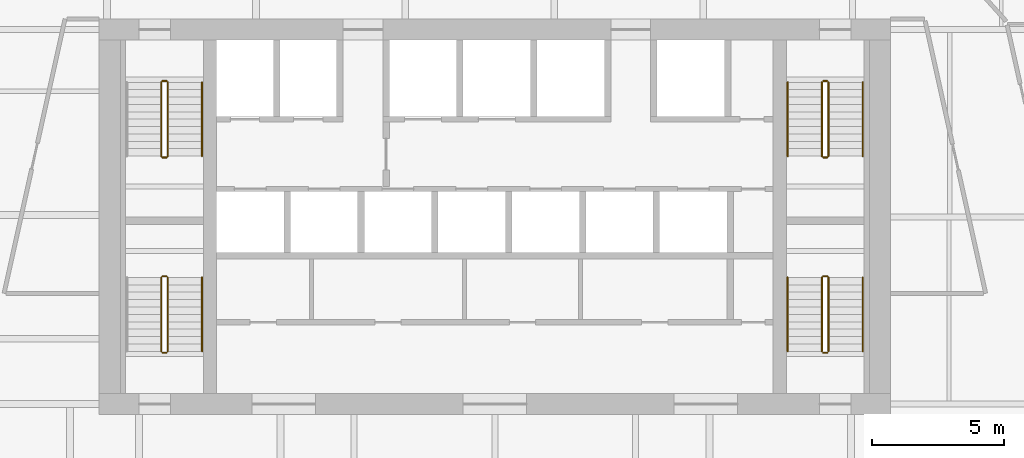
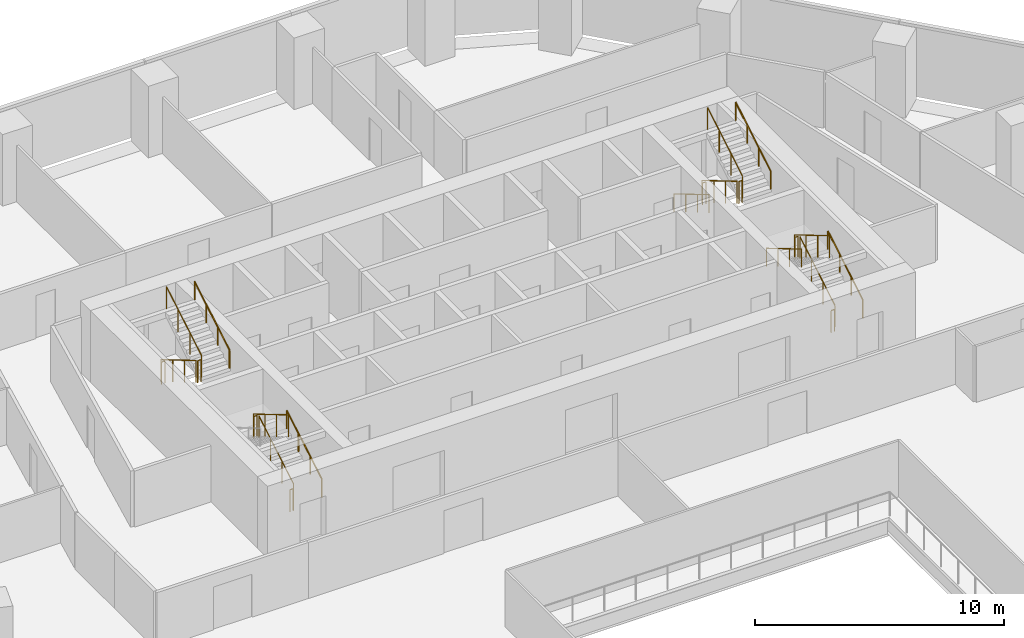
# One storey, part 15 of 16: 22 railings.
"""IFC4 building model written with IfcOpenShell, lengths in metres."""

import ifcopenshell
import ifcopenshell.guid

model = None  # the IFC model being written
_history = None  # IfcOwnerHistory: only IFC2X3 demands one
_inside = {}  # id of a spatial element -> (the spatial element, [elements in it])
_under = {}  # id of a project, library or spatial element -> (it, [spatial elements below it])
_declared = {}  # id of a project -> (the project, [libraries it declares])
_typed = {}  # id of a type object -> (the type object, [elements of that type])
_made_of = {}  # id of a material, layer set ... -> (it, [elements and type objects made of it])


def new_model(schema):
    """Start an empty IFC model of exactly this schema.

    Asked for "IFC4X3", IfcOpenShell would pick the latest addendum, in which some entities
    have other attributes; the version numbers below select the first issue.
    IFC2X3 requires an IfcOwnerHistory on every rooted entity: one is made here for all.
    """
    global model, _history
    if schema == "IFC4X3":
        model = ifcopenshell.file(schema_version=(4, 3, 0, 0))
    else:
        model = ifcopenshell.file(schema=schema)
    _inside.clear()
    _under.clear()
    _declared.clear()
    _typed.clear()
    _made_of.clear()
    _history = None
    if model.schema == "IFC2X3":
        org = make("IfcOrganization", Name="unknown")
        user = make(
            "IfcPersonAndOrganization",
            ThePerson=make("IfcPerson", FamilyName="unknown"),
            TheOrganization=org,
        )
        app = make(
            "IfcApplication",
            ApplicationDeveloper=org,
            Version="unknown",
            ApplicationFullName="unknown",
            ApplicationIdentifier="unknown",
        )
        _history = make(
            "IfcOwnerHistory",
            OwningUser=user,
            OwningApplication=app,
            ChangeAction="ADDED",
            CreationDate=0,
        )
    return model


def make(cls, **values):
    """One entity of the class cls with the attributes given. An attribute that is None is left unset."""
    return model.create_entity(
        cls, **{name: value for name, value in values.items() if value is not None}
    )


def rooted(cls, **values):
    """An entity with a GlobalId (a new one), such as an element, a storey or a relation."""
    return make(cls, GlobalId=ifcopenshell.guid.new(), OwnerHistory=_history, **values)


def si_unit(unit_type, name, prefix=None):
    """IfcSIUnit, for example si_unit("LENGTHUNIT", "METRE", prefix="MILLI")."""
    return make("IfcSIUnit", UnitType=unit_type, Prefix=prefix, Name=name)


def assignment(units):
    """IfcUnitAssignment: the units of a project."""
    return None if units is None else make("IfcUnitAssignment", Units=units)


def point(xyz):
    """IfcCartesianPoint."""
    return None if xyz is None else make("IfcCartesianPoint", Coordinates=xyz)


def direction(xyz):
    """IfcDirection."""
    return None if xyz is None else make("IfcDirection", DirectionRatios=xyz)


def frame(location, z_axis=None, x_axis=None):
    """IfcAxis2Placement3D, a coordinate frame: its origin and axes. An axis left out is left unset."""
    return make(
        "IfcAxis2Placement3D",
        Location=point(location),
        Axis=direction(z_axis),
        RefDirection=direction(x_axis),
    )


def frame_2d(location, x_axis=None):
    """IfcAxis2Placement2D, a coordinate frame in the plane: its origin and x axis."""
    return make(
        "IfcAxis2Placement2D", Location=point(location), RefDirection=direction(x_axis)
    )


def origin():
    """The frame at (0, 0, 0) with its axes left unset."""
    return frame((0.0, 0.0, 0.0))


def origin_2d():
    """The frame at (0, 0) in the plane with its x axis left unset."""
    return frame_2d((0.0, 0.0))


def place(relative_to, where):
    """IfcLocalPlacement: puts the frame where relative to a parent placement (None: the world)."""
    return make(
        "IfcLocalPlacement", PlacementRelTo=relative_to, RelativePlacement=where
    )


def context(
    kind, dimensions, precision=None, world=None, true_north=None, identifier=None
):
    """IfcGeometricRepresentationContext, for example the 3D "Model" context."""
    return make(
        "IfcGeometricRepresentationContext",
        ContextIdentifier=identifier,
        ContextType=kind,
        CoordinateSpaceDimension=dimensions,
        Precision=precision,
        WorldCoordinateSystem=world,
        TrueNorth=true_north,
    )


def subcontext(parent, identifier, kind, view, scale=None):
    """IfcGeometricRepresentationSubContext, for example "Body" below "Model"."""
    return make(
        "IfcGeometricRepresentationSubContext",
        ContextIdentifier=identifier,
        ContextType=kind,
        ParentContext=parent,
        TargetScale=scale,
        TargetView=view,
    )


def project(units=None, contexts=None):
    """IfcProject with its units and contexts."""
    return rooted(
        "IfcProject",
        Name="project",
        RepresentationContexts=contexts,
        UnitsInContext=assignment(units),
    )


def spatial(cls, under=None, at=None, **own):
    """A site, building, storey or space (cls), placed at a placement, below another one or the project."""
    s = rooted(cls, ObjectPlacement=at, **own)
    if under is not None:
        _under.setdefault(under.id(), (under, []))[1].append(s)
    return s


def profile(cls, at=None, kind="AREA", **sizes):
    """A parametric profile (cls). Its sizes go by their IFC names, for example OverallWidth=200.0."""
    return make(cls, ProfileType=kind, Position=at, **sizes)


def circle(**sizes):
    """IfcCircleProfileDef."""
    return profile("IfcCircleProfileDef", **sizes)


def extrude(swept, where, along, depth):
    """IfcExtrudedAreaSolid: the profile swept, set in the frame where, extruded along a direction by depth."""
    return make(
        "IfcExtrudedAreaSolid",
        SweptArea=swept,
        Position=where,
        ExtrudedDirection=direction(along),
        Depth=depth,
    )


def shape(context_of_items, identifier, shape_type, items):
    """IfcShapeRepresentation: the items that make up one representation, for example the "Body"."""
    return make(
        "IfcShapeRepresentation",
        ContextOfItems=context_of_items,
        RepresentationIdentifier=identifier,
        RepresentationType=shape_type,
        Items=items,
    )


def material(Name=None, Category=None):
    """IfcMaterial."""
    return make("IfcMaterial", Name=Name, Category=Category)


def made_of(thing, what):
    """Note that an element or type object is made of a material, layer set ...; save() writes the relation."""
    if what is not None:
        _made_of.setdefault(what.id(), (what, []))[1].append(thing)
    return thing


def type_object(cls, material=None, **own):
    """A type object (cls), such as IfcWallType, which elements share."""
    return made_of(rooted(cls, **own), material)


def element(
    cls,
    number,
    at=None,
    inside=None,
    cuts=None,
    type_object=None,
    material=None,
    context=None,
    identifier="Body",
    shape_type=None,
    held_by="IfcProductDefinitionShape",
    body=None,
    shapes=None,
    **own,
):
    """One element of the class cls, such as IfcWall. Its Tag is "e" and its number.

    at: its placement. inside: the storey or other place that contains it. cuts: it is an
    opening in that element (IfcRelVoidsElement). A single representation is given by context,
    identifier, shape_type and body (its items); several are given by shapes. held_by: the class
    of the entity that holds the representations. save() writes the other relations.
    """
    e = rooted(cls, Tag="e%d" % number, ObjectPlacement=at, **own)
    if body is not None:
        shapes = [shape(context, identifier, shape_type, body)]
    if shapes is not None:
        e.Representation = make(held_by, Representations=shapes)
    if inside is not None:
        _inside.setdefault(inside.id(), (inside, []))[1].append(e)
    if cuts is not None:
        rooted(
            "IfcRelVoidsElement", RelatingBuildingElement=cuts, RelatedOpeningElement=e
        )
    if type_object is not None:
        _typed.setdefault(type_object.id(), (type_object, []))[1].append(e)
    return made_of(e, material)


def aggregate(whole, parts):
    """IfcRelAggregates: a whole, such as a stair, and the parts it consists of."""
    return rooted("IfcRelAggregates", RelatingObject=whole, RelatedObjects=parts)


def save(model, path):
    """Write the relations noted so far, then the file.

    IfcRelAggregates (storeys below a building ...), IfcRelContainedInSpatialStructure (elements
    in a storey), IfcRelDefinesByType, IfcRelAssociatesMaterial and IfcRelDeclares: one each for
    every whole, place, type object, material and project.
    """
    for whole, parts in _under.values():
        aggregate(whole, parts)
    for where, things in _inside.values():
        rooted(
            "IfcRelContainedInSpatialStructure",
            RelatedElements=things,
            RelatingStructure=where,
        )
    for kind, things in _typed.values():
        rooted("IfcRelDefinesByType", RelatedObjects=things, RelatingType=kind)
    for what, things in _made_of.values():
        rooted("IfcRelAssociatesMaterial", RelatedObjects=things, RelatingMaterial=what)
    for by, libraries in _declared.values():
        rooted("IfcRelDeclares", RelatingContext=by, RelatedDefinitions=libraries)
    model.write(path)


model = new_model("IFC4")

# Units and contexts
model_context = context("Model", 3, precision=1e-05, world=origin(), true_north=direction((0.0, 1.0)))
body_context = subcontext(model_context, "Body", "Model", "MODEL_VIEW")
ifc_project = project(units=[si_unit("LENGTHUNIT", "METRE"), si_unit("AREAUNIT", "SQUARE_METRE"), si_unit("VOLUMEUNIT", "CUBIC_METRE"), si_unit("PLANEANGLEUNIT", "RADIAN"), si_unit("MASSUNIT", "GRAM", prefix="KILO")], contexts=[model_context])

# Site, building, storey
site_placement = place(None, origin())
site = spatial("IfcSite", under=ifc_project, at=site_placement, CompositionType="ELEMENT")
building_placement = place(site_placement, origin())
building = spatial("IfcBuilding", under=site, at=building_placement, Name="Isthmus Gate Tower", CompositionType="ELEMENT")
storey_placement = place(building_placement, frame((0.0, 0.0, 140.75)))
storey = spatial("IfcBuildingStorey", under=building, at=storey_placement, Name="L34", CompositionType="ELEMENT", Elevation=140.75)

# Railings
ifc_material_1 = material(Name="Stainless steel balustrade", Category="steel")
railing_type_1 = type_object("IfcRailingType", Name="STAIR GUARD 1100", PredefinedType="GUARDRAIL", material=ifc_material_1)
railing_1_placement = place(storey_placement, frame((-12.64990234375, 12.60009765625, 0.166015625)))
element("IfcRailing", 1, at=railing_1_placement, inside=storey, type_object=railing_type_1, Name="L34 ST1 stair guard 1", PredefinedType="GUARDRAIL", context=body_context, shape_type="SweptSolid", body=[
    extrude(circle(Radius=0.02392578125, at=origin_2d()), frame((0.0, 0.0, 1.076171875), z_axis=(0.0, -0.860339051648, 0.50972219513), x_axis=(1.0, 0.0, 0.0)), (0.0, 0.0, 1.0), 3.254638671875),
    extrude(circle(Radius=0.02099609375, at=origin_2d()), origin(), (0.0, 0.0, 1.0), 1.052001953125),
    extrude(circle(Radius=0.02099609375, at=origin_2d()), frame((0.0, -0.933349609375, 0.552978515625)), (0.0, 0.0, 1.0), 1.052001953125),
    extrude(circle(Radius=0.02099609375, at=origin_2d()), frame((0.0, -1.86669921875, 1.10595703125)), (0.0, 0.0, 1.0), 1.052001953125),
    extrude(circle(Radius=0.02099609375, at=origin_2d()), frame((0.0, -2.800048828125, 1.658935546875)), (0.0, 0.0, 1.0), 1.052001953125),
])
railing_2_placement = place(storey_placement, frame((-12.60009765625, 9.75, 1.824951171875)))
element("IfcRailing", 2, at=railing_2_placement, inside=storey, type_object=railing_type_1, Name="L34 ST1 stair guard 2", PredefinedType="GUARDRAIL", context=body_context, shape_type="SweptSolid", body=[
    extrude(circle(Radius=0.02392578125, at=origin_2d()), frame((0.0, 0.0, 1.076171875), z_axis=(1.0, 0.0, 0.0), x_axis=(0.0, 1.0, 0.0)), (0.0, 0.0, 1.0), 0.150146484375),
    extrude(circle(Radius=0.02099609375, at=origin_2d()), origin(), (0.0, 0.0, 1.0), 1.052001953125),
    extrude(circle(Radius=0.02099609375, at=origin_2d()), frame((0.150146484375, 0.0, 0.0)), (0.0, 0.0, 1.0), 1.052001953125),
])
railing_3_placement = place(storey_placement, frame((-12.39990234375, 9.800048828125, 1.990966796875)))
element("IfcRailing", 3, at=railing_3_placement, inside=storey, type_object=railing_type_1, Name="L34 ST1 stair guard 3", PredefinedType="GUARDRAIL", context=body_context, shape_type="SweptSolid", body=[
    extrude(circle(Radius=0.02392578125, at=origin_2d()), frame((0.0, 0.0, 1.076171875), z_axis=(0.0, 0.860339051648, 0.50972219513), x_axis=(-1.0, 0.0, 0.0)), (0.0, 0.0, 1.0), 3.254638671875),
    extrude(circle(Radius=0.02099609375, at=origin_2d()), origin(), (0.0, 0.0, 1.0), 1.052001953125),
    extrude(circle(Radius=0.02099609375, at=origin_2d()), frame((0.0, 0.933349609375, 0.552978515625)), (0.0, 0.0, 1.0), 1.052001953125),
    extrude(circle(Radius=0.02099609375, at=origin_2d()), frame((0.0, 1.86669921875, 1.10595703125)), (0.0, 0.0, 1.0), 1.052001953125),
    extrude(circle(Radius=0.02099609375, at=origin_2d()), frame((0.0, 2.800048828125, 1.658935546875)), (0.0, 0.0, 1.0), 1.052001953125),
])
railing_4_placement = place(storey_placement, frame((-12.60009765625, 12.64990234375, 0.0)))
element("IfcRailing", 4, at=railing_4_placement, inside=storey, type_object=railing_type_1, Name="L34 ST1 stair guard 4", PredefinedType="GUARDRAIL", context=body_context, shape_type="SweptSolid", body=[
    extrude(circle(Radius=0.02392578125, at=origin_2d()), frame((0.0, 0.0, 1.076171875), z_axis=(1.0, 0.0, 0.0), x_axis=(0.0, 1.0, 0.0)), (0.0, 0.0, 1.0), 0.150146484375),
    extrude(circle(Radius=0.02099609375, at=origin_2d()), origin(), (0.0, 0.0, 1.0), 1.052001953125),
    extrude(circle(Radius=0.02099609375, at=origin_2d()), frame((0.150146484375, 0.0, 0.0)), (0.0, 0.0, 1.0), 1.052001953125),
])
railing_5_placement = place(storey_placement, frame((12.39990234375, 12.60009765625, 0.166015625)))
element("IfcRailing", 5, at=railing_5_placement, inside=storey, type_object=railing_type_1, Name="L34 ST2 stair guard 1", PredefinedType="GUARDRAIL", context=body_context, shape_type="SweptSolid", body=[
    extrude(circle(Radius=0.02392578125, at=origin_2d()), frame((0.0, 0.0, 1.076171875), z_axis=(0.0, -0.860339051648, 0.50972219513), x_axis=(1.0, 0.0, 0.0)), (0.0, 0.0, 1.0), 3.254638671875),
    extrude(circle(Radius=0.02099609375, at=origin_2d()), origin(), (0.0, 0.0, 1.0), 1.052001953125),
    extrude(circle(Radius=0.02099609375, at=origin_2d()), frame((0.0, -0.933349609375, 0.552978515625)), (0.0, 0.0, 1.0), 1.052001953125),
    extrude(circle(Radius=0.02099609375, at=origin_2d()), frame((0.0, -1.86669921875, 1.10595703125)), (0.0, 0.0, 1.0), 1.052001953125),
    extrude(circle(Radius=0.02099609375, at=origin_2d()), frame((0.0, -2.800048828125, 1.658935546875)), (0.0, 0.0, 1.0), 1.052001953125),
])
railing_6_placement = place(storey_placement, frame((12.449951171875, 9.75, 1.824951171875)))
element("IfcRailing", 6, at=railing_6_placement, inside=storey, type_object=railing_type_1, Name="L34 ST2 stair guard 2", PredefinedType="GUARDRAIL", context=body_context, shape_type="SweptSolid", body=[
    extrude(circle(Radius=0.02392578125, at=origin_2d()), frame((0.0, 0.0, 1.076171875), z_axis=(1.0, 0.0, 0.0), x_axis=(0.0, 1.0, 0.0)), (0.0, 0.0, 1.0), 0.150146484375),
    extrude(circle(Radius=0.02099609375, at=origin_2d()), origin(), (0.0, 0.0, 1.0), 1.052001953125),
    extrude(circle(Radius=0.02099609375, at=origin_2d()), frame((0.150146484375, 0.0, 0.0)), (0.0, 0.0, 1.0), 1.052001953125),
])
railing_7_placement = place(storey_placement, frame((12.64990234375, 9.800048828125, 1.990966796875)))
element("IfcRailing", 7, at=railing_7_placement, inside=storey, type_object=railing_type_1, Name="L34 ST2 stair guard 3", PredefinedType="GUARDRAIL", context=body_context, shape_type="SweptSolid", body=[
    extrude(circle(Radius=0.02392578125, at=origin_2d()), frame((0.0, 0.0, 1.076171875), z_axis=(0.0, 0.860339051648, 0.50972219513), x_axis=(-1.0, 0.0, 0.0)), (0.0, 0.0, 1.0), 3.254638671875),
    extrude(circle(Radius=0.02099609375, at=origin_2d()), origin(), (0.0, 0.0, 1.0), 1.052001953125),
    extrude(circle(Radius=0.02099609375, at=origin_2d()), frame((0.0, 0.933349609375, 0.552978515625)), (0.0, 0.0, 1.0), 1.052001953125),
    extrude(circle(Radius=0.02099609375, at=origin_2d()), frame((0.0, 1.86669921875, 1.10595703125)), (0.0, 0.0, 1.0), 1.052001953125),
    extrude(circle(Radius=0.02099609375, at=origin_2d()), frame((0.0, 2.800048828125, 1.658935546875)), (0.0, 0.0, 1.0), 1.052001953125),
])
railing_8_placement = place(storey_placement, frame((12.449951171875, 12.64990234375, 0.0)))
element("IfcRailing", 8, at=railing_8_placement, inside=storey, type_object=railing_type_1, Name="L34 ST2 stair guard 4", PredefinedType="GUARDRAIL", context=body_context, shape_type="SweptSolid", body=[
    extrude(circle(Radius=0.02392578125, at=origin_2d()), frame((0.0, 0.0, 1.076171875), z_axis=(1.0, 0.0, 0.0), x_axis=(0.0, 1.0, 0.0)), (0.0, 0.0, 1.0), 0.150146484375),
    extrude(circle(Radius=0.02099609375, at=origin_2d()), origin(), (0.0, 0.0, 1.0), 1.052001953125),
    extrude(circle(Radius=0.02099609375, at=origin_2d()), frame((0.150146484375, 0.0, 0.0)), (0.0, 0.0, 1.0), 1.052001953125),
])
railing_9_placement = place(storey_placement, frame((-12.39990234375, 2.39990234375, 0.166015625)))
element("IfcRailing", 9, at=railing_9_placement, inside=storey, type_object=railing_type_1, Name="L34 ST7 stair guard 1", PredefinedType="GUARDRAIL", context=body_context, shape_type="SweptSolid", body=[
    extrude(circle(Radius=0.02392578125, at=origin_2d()), frame((0.0, 0.0, 1.076171875), z_axis=(0.0, 0.860339051648, 0.50972219513), x_axis=(-1.0, 0.0, 0.0)), (0.0, 0.0, 1.0), 3.254638671875),
    extrude(circle(Radius=0.02099609375, at=origin_2d()), origin(), (0.0, 0.0, 1.0), 1.052001953125),
    extrude(circle(Radius=0.02099609375, at=origin_2d()), frame((0.0, 0.933349609375, 0.552978515625)), (0.0, 0.0, 1.0), 1.052001953125),
    extrude(circle(Radius=0.02099609375, at=origin_2d()), frame((0.0, 1.86669921875, 1.10595703125)), (0.0, 0.0, 1.0), 1.052001953125),
    extrude(circle(Radius=0.02099609375, at=origin_2d()), frame((0.0, 2.800048828125, 1.658935546875)), (0.0, 0.0, 1.0), 1.052001953125),
])
railing_10_placement = place(storey_placement, frame((-12.449951171875, 5.25, 1.824951171875)))
element("IfcRailing", 10, at=railing_10_placement, inside=storey, type_object=railing_type_1, Name="L34 ST7 stair guard 2", PredefinedType="GUARDRAIL", context=body_context, shape_type="SweptSolid", body=[
    extrude(circle(Radius=0.02392578125, at=origin_2d()), frame((0.0, 0.0, 1.076171875), z_axis=(-1.0, 0.0, 0.0), x_axis=(0.0, -1.0, 0.0)), (0.0, 0.0, 1.0), 0.150146484375),
    extrude(circle(Radius=0.02099609375, at=origin_2d()), origin(), (0.0, 0.0, 1.0), 1.052001953125),
    extrude(circle(Radius=0.02099609375, at=origin_2d()), frame((-0.150146484375, 0.0, 0.0)), (0.0, 0.0, 1.0), 1.052001953125),
])
railing_11_placement = place(storey_placement, frame((-12.64990234375, 5.199951171875, 1.990966796875)))
element("IfcRailing", 11, at=railing_11_placement, inside=storey, type_object=railing_type_1, Name="L34 ST7 stair guard 3", PredefinedType="GUARDRAIL", context=body_context, shape_type="SweptSolid", body=[
    extrude(circle(Radius=0.02392578125, at=origin_2d()), frame((0.0, 0.0, 1.076171875), z_axis=(0.0, -0.860339051648, 0.50972219513), x_axis=(1.0, 0.0, 0.0)), (0.0, 0.0, 1.0), 3.254638671875),
    extrude(circle(Radius=0.02099609375, at=origin_2d()), origin(), (0.0, 0.0, 1.0), 1.052001953125),
    extrude(circle(Radius=0.02099609375, at=origin_2d()), frame((0.0, -0.933349609375, 0.552978515625)), (0.0, 0.0, 1.0), 1.052001953125),
    extrude(circle(Radius=0.02099609375, at=origin_2d()), frame((0.0, -1.86669921875, 1.10595703125)), (0.0, 0.0, 1.0), 1.052001953125),
    extrude(circle(Radius=0.02099609375, at=origin_2d()), frame((0.0, -2.800048828125, 1.658935546875)), (0.0, 0.0, 1.0), 1.052001953125),
])
railing_12_placement = place(storey_placement, frame((-12.449951171875, 2.35009765625, 0.0)))
element("IfcRailing", 12, at=railing_12_placement, inside=storey, type_object=railing_type_1, Name="L34 ST7 stair guard 4", PredefinedType="GUARDRAIL", context=body_context, shape_type="SweptSolid", body=[
    extrude(circle(Radius=0.02392578125, at=origin_2d()), frame((0.0, 0.0, 1.076171875), z_axis=(-1.0, 0.0, 0.0), x_axis=(0.0, -1.0, 0.0)), (0.0, 0.0, 1.0), 0.150146484375),
    extrude(circle(Radius=0.02099609375, at=origin_2d()), origin(), (0.0, 0.0, 1.0), 1.052001953125),
    extrude(circle(Radius=0.02099609375, at=origin_2d()), frame((-0.150146484375, 0.0, 0.0)), (0.0, 0.0, 1.0), 1.052001953125),
])
railing_13_placement = place(storey_placement, frame((12.64990234375, 2.39990234375, 0.166015625)))
element("IfcRailing", 13, at=railing_13_placement, inside=storey, type_object=railing_type_1, Name="L34 ST8 stair guard 1", PredefinedType="GUARDRAIL", context=body_context, shape_type="SweptSolid", body=[
    extrude(circle(Radius=0.02392578125, at=origin_2d()), frame((0.0, 0.0, 1.076171875), z_axis=(0.0, 0.860339051648, 0.50972219513), x_axis=(-1.0, 0.0, 0.0)), (0.0, 0.0, 1.0), 3.254638671875),
    extrude(circle(Radius=0.02099609375, at=origin_2d()), origin(), (0.0, 0.0, 1.0), 1.052001953125),
    extrude(circle(Radius=0.02099609375, at=origin_2d()), frame((0.0, 0.933349609375, 0.552978515625)), (0.0, 0.0, 1.0), 1.052001953125),
    extrude(circle(Radius=0.02099609375, at=origin_2d()), frame((0.0, 1.86669921875, 1.10595703125)), (0.0, 0.0, 1.0), 1.052001953125),
    extrude(circle(Radius=0.02099609375, at=origin_2d()), frame((0.0, 2.800048828125, 1.658935546875)), (0.0, 0.0, 1.0), 1.052001953125),
])
railing_14_placement = place(storey_placement, frame((12.60009765625, 5.25, 1.824951171875)))
element("IfcRailing", 14, at=railing_14_placement, inside=storey, type_object=railing_type_1, Name="L34 ST8 stair guard 2", PredefinedType="GUARDRAIL", context=body_context, shape_type="SweptSolid", body=[
    extrude(circle(Radius=0.02392578125, at=origin_2d()), frame((0.0, 0.0, 1.076171875), z_axis=(-1.0, 0.0, 0.0), x_axis=(0.0, -1.0, 0.0)), (0.0, 0.0, 1.0), 0.150146484375),
    extrude(circle(Radius=0.02099609375, at=origin_2d()), origin(), (0.0, 0.0, 1.0), 1.052001953125),
    extrude(circle(Radius=0.02099609375, at=origin_2d()), frame((-0.150146484375, 0.0, 0.0)), (0.0, 0.0, 1.0), 1.052001953125),
])
railing_15_placement = place(storey_placement, frame((12.39990234375, 5.199951171875, 1.990966796875)))
element("IfcRailing", 15, at=railing_15_placement, inside=storey, type_object=railing_type_1, Name="L34 ST8 stair guard 3", PredefinedType="GUARDRAIL", context=body_context, shape_type="SweptSolid", body=[
    extrude(circle(Radius=0.02392578125, at=origin_2d()), frame((0.0, 0.0, 1.076171875), z_axis=(0.0, -0.860339051648, 0.50972219513), x_axis=(1.0, 0.0, 0.0)), (0.0, 0.0, 1.0), 3.254638671875),
    extrude(circle(Radius=0.02099609375, at=origin_2d()), origin(), (0.0, 0.0, 1.0), 1.052001953125),
    extrude(circle(Radius=0.02099609375, at=origin_2d()), frame((0.0, -0.933349609375, 0.552978515625)), (0.0, 0.0, 1.0), 1.052001953125),
    extrude(circle(Radius=0.02099609375, at=origin_2d()), frame((0.0, -1.86669921875, 1.10595703125)), (0.0, 0.0, 1.0), 1.052001953125),
    extrude(circle(Radius=0.02099609375, at=origin_2d()), frame((0.0, -2.800048828125, 1.658935546875)), (0.0, 0.0, 1.0), 1.052001953125),
])
railing_16_placement = place(storey_placement, frame((12.60009765625, 2.35009765625, 0.0)))
element("IfcRailing", 16, at=railing_16_placement, inside=storey, type_object=railing_type_1, Name="L34 ST8 stair guard 4", PredefinedType="GUARDRAIL", context=body_context, shape_type="SweptSolid", body=[
    extrude(circle(Radius=0.02392578125, at=origin_2d()), frame((0.0, 0.0, 1.076171875), z_axis=(-1.0, 0.0, 0.0), x_axis=(0.0, -1.0, 0.0)), (0.0, 0.0, 1.0), 0.150146484375),
    extrude(circle(Radius=0.02099609375, at=origin_2d()), origin(), (0.0, 0.0, 1.0), 1.052001953125),
    extrude(circle(Radius=0.02099609375, at=origin_2d()), frame((-0.150146484375, 0.0, 0.0)), (0.0, 0.0, 1.0), 1.052001953125),
])
ifc_material_2 = material(Name="Stainless steel handrail", Category="steel")
railing_type_2 = type_object("IfcRailingType", Name="STAIR HANDRAIL 900", PredefinedType="HANDRAIL", material=ifc_material_2)
railing_17_placement = place(storey_placement, frame((-11.10009765625, 9.800048828125, 1.990966796875)))
element("IfcRailing", 17, at=railing_17_placement, inside=storey, type_object=railing_type_2, Name="L34 ST1 stair handrail 2", PredefinedType="HANDRAIL", context=body_context, shape_type="SweptSolid", body=[
    extrude(circle(Radius=0.02392578125, at=origin_2d()), frame((0.0, 0.0, 0.8759765625), z_axis=(0.0, 0.860339051648, 0.50972219513), x_axis=(-1.0, 0.0, 0.0)), (0.0, 0.0, 1.0), 3.254638671875),
    extrude(circle(Radius=0.02099609375, at=origin_2d()), origin(), (0.0, 0.0, 1.0), 0.851806640625),
    extrude(circle(Radius=0.02099609375, at=origin_2d()), frame((0.0, 0.933349609375, 0.552978515625)), (0.0, 0.0, 1.0), 0.851806640625),
    extrude(circle(Radius=0.02099609375, at=origin_2d()), frame((0.0, 1.86669921875, 1.10595703125)), (0.0, 0.0, 1.0), 0.851806640625),
    extrude(circle(Radius=0.02099609375, at=origin_2d()), frame((0.0, 2.800048828125, 1.658935546875)), (0.0, 0.0, 1.0), 0.851806640625),
])
railing_18_placement = place(storey_placement, frame((11.10009765625, 12.60009765625, 0.166015625)))
element("IfcRailing", 18, at=railing_18_placement, inside=storey, type_object=railing_type_2, Name="L34 ST2 stair handrail 1", PredefinedType="HANDRAIL", context=body_context, shape_type="SweptSolid", body=[
    extrude(circle(Radius=0.02392578125, at=origin_2d()), frame((0.0, 0.0, 0.8759765625), z_axis=(0.0, -0.860339051648, 0.50972219513), x_axis=(1.0, 0.0, 0.0)), (0.0, 0.0, 1.0), 3.254638671875),
    extrude(circle(Radius=0.02099609375, at=origin_2d()), origin(), (0.0, 0.0, 1.0), 0.851806640625),
    extrude(circle(Radius=0.02099609375, at=origin_2d()), frame((0.0, -0.933349609375, 0.552978515625)), (0.0, 0.0, 1.0), 0.851806640625),
    extrude(circle(Radius=0.02099609375, at=origin_2d()), frame((0.0, -1.86669921875, 1.10595703125)), (0.0, 0.0, 1.0), 0.851806640625),
    extrude(circle(Radius=0.02099609375, at=origin_2d()), frame((0.0, -2.800048828125, 1.658935546875)), (0.0, 0.0, 1.0), 0.851806640625),
])
for number, where, name in (
    (19, (13.949951171875, 9.800048828125, 1.990966796875), "L34 ST2 stair handrail 2"),
    (20, (-11.10009765625, 2.39990234375, 0.166015625), "L34 ST7 stair handrail 1"),
    (21, (13.949951171875, 2.39990234375, 0.166015625), "L34 ST8 stair handrail 1"),
):
    element("IfcRailing", number, at=place(storey_placement, frame(where)), inside=storey, type_object=railing_type_2, Name=name, PredefinedType="HANDRAIL", context=body_context, shape_type="SweptSolid", body=[
        extrude(circle(Radius=0.02392578125, at=origin_2d()), frame((0.0, 0.0, 0.8759765625), z_axis=(0.0, 0.860339051648, 0.50972219513), x_axis=(-1.0, 0.0, 0.0)), (0.0, 0.0, 1.0), 3.254638671875),
        extrude(circle(Radius=0.02099609375, at=origin_2d()), origin(), (0.0, 0.0, 1.0), 0.851806640625),
        extrude(circle(Radius=0.02099609375, at=origin_2d()), frame((0.0, 0.933349609375, 0.552978515625)), (0.0, 0.0, 1.0), 0.851806640625),
        extrude(circle(Radius=0.02099609375, at=origin_2d()), frame((0.0, 1.86669921875, 1.10595703125)), (0.0, 0.0, 1.0), 0.851806640625),
        extrude(circle(Radius=0.02099609375, at=origin_2d()), frame((0.0, 2.800048828125, 1.658935546875)), (0.0, 0.0, 1.0), 0.851806640625),
    ])
railing_19_placement = place(storey_placement, frame((11.10009765625, 5.199951171875, 1.990966796875)))
element("IfcRailing", 22, at=railing_19_placement, inside=storey, type_object=railing_type_2, Name="L34 ST8 stair handrail 2", PredefinedType="HANDRAIL", context=body_context, shape_type="SweptSolid", body=[
    extrude(circle(Radius=0.02392578125, at=origin_2d()), frame((0.0, 0.0, 0.8759765625), z_axis=(0.0, -0.860339051648, 0.50972219513), x_axis=(1.0, 0.0, 0.0)), (0.0, 0.0, 1.0), 3.254638671875),
    extrude(circle(Radius=0.02099609375, at=origin_2d()), origin(), (0.0, 0.0, 1.0), 0.851806640625),
    extrude(circle(Radius=0.02099609375, at=origin_2d()), frame((0.0, -0.933349609375, 0.552978515625)), (0.0, 0.0, 1.0), 0.851806640625),
    extrude(circle(Radius=0.02099609375, at=origin_2d()), frame((0.0, -1.86669921875, 1.10595703125)), (0.0, 0.0, 1.0), 0.851806640625),
    extrude(circle(Radius=0.02099609375, at=origin_2d()), frame((0.0, -2.800048828125, 1.658935546875)), (0.0, 0.0, 1.0), 0.851806640625),
])

save(model, "model.ifc")
